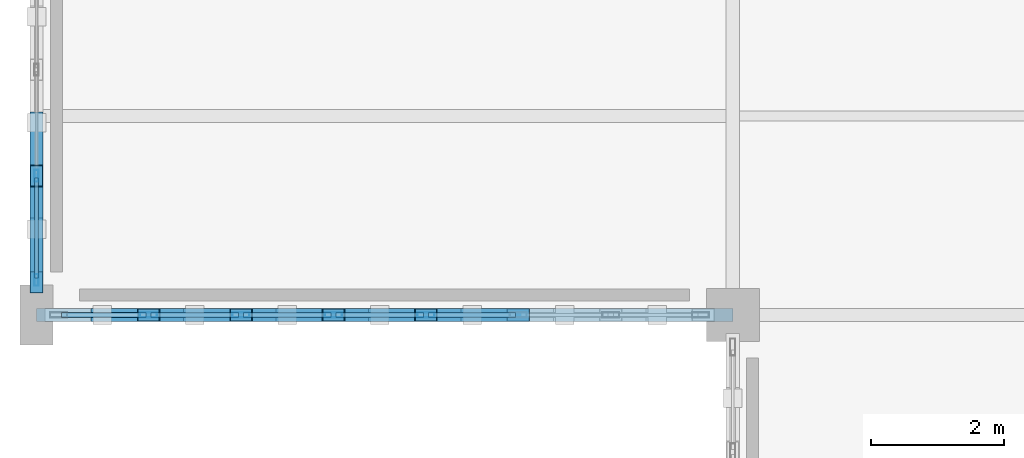
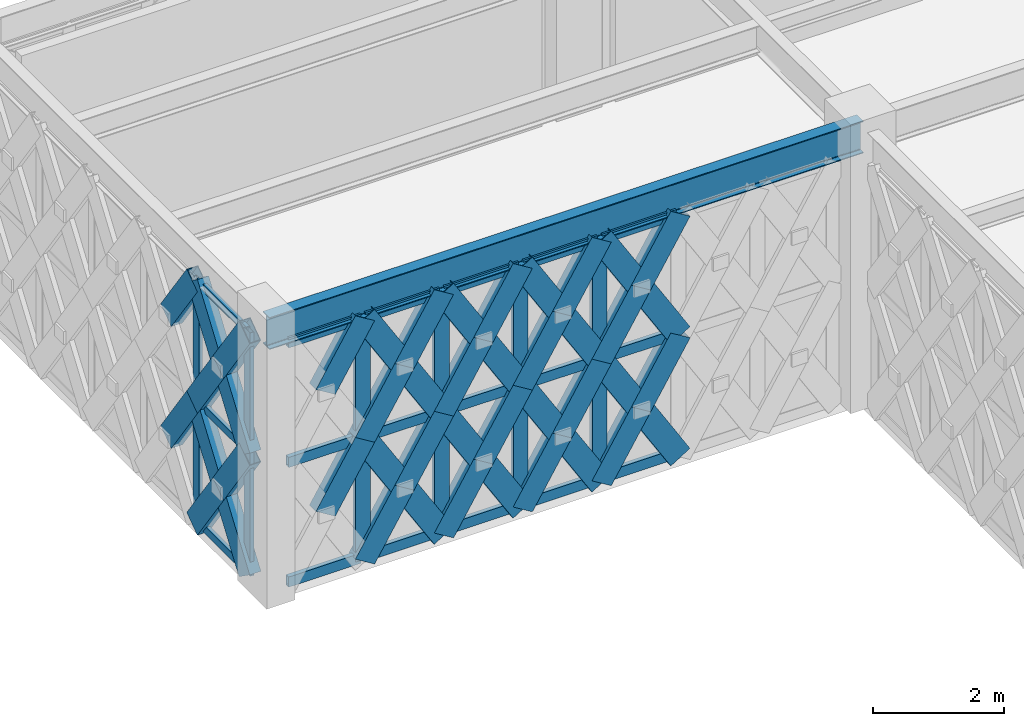
# One storey, part 5 of 86: 58 members, 1 beam, 2 elements without a shape of their own.
"""IFC4 building model written with IfcOpenShell, lengths in metres."""

from ifc_helpers import new_model, si_unit, direction, frame, origin, origin_2d, place, context, subcontext, project, spatial, hollow_rectangle, i_section, extrude, material, material_profile, profile_set, type_object, element, aggregate, save


model = new_model("IFC4")

# Units and contexts
model_context = context("Model", 3, precision=1e-05, world=origin(), true_north=direction((0.0, 1.0)))
body_context = subcontext(model_context, "Body", "Model", "MODEL_VIEW")
ifc_project = project(units=[si_unit("LENGTHUNIT", "METRE"), si_unit("AREAUNIT", "SQUARE_METRE"), si_unit("VOLUMEUNIT", "CUBIC_METRE"), si_unit("PLANEANGLEUNIT", "RADIAN"), si_unit("MASSUNIT", "GRAM", prefix="KILO")], contexts=[model_context])

# Site, building, storey
site_placement = place(None, origin())
site = spatial("IfcSite", under=ifc_project, at=site_placement, CompositionType="ELEMENT")
building_placement = place(site_placement, origin())
building = spatial("IfcBuilding", under=site, at=building_placement, Name="Haizhuo Lancet Aquarium", CompositionType="ELEMENT")
storey_placement = place(building_placement, frame((0.0, 0.0, 16.199951171875)))
storey = spatial("IfcBuildingStorey", under=building, at=storey_placement, Name="L03", CompositionType="ELEMENT", Elevation=16.199951171875)

# Beam
ifc_material_1 = material(Name="Steel S355", Category="steel")
ifc_material_profile_1 = material_profile(ifc_material_1, i_section(OverallWidth=0.199951171875, OverallDepth=0.60009765625, WebThickness=0.010986328125, FlangeThickness=0.01708984375, FilletRadius=0.02197265625, at=origin_2d()), Name="HN 600x200x11x17")
ifc_profile_set_1 = profile_set([ifc_material_profile_1], Name="Steel S355")
beam_type = type_object("IfcBeamType", Name="BM-ST-HN600", PredefinedType="BEAM", material=ifc_profile_set_1)
beam_placement = place(storey_placement, frame((-82.5, -18.0, 4.85009765625), z_axis=(1.0, 0.0, 0.0), x_axis=(0.0, 1.0, 0.0)))
element("IfcBeam", 1, at=beam_placement, inside=storey, type_object=beam_type, Name="L03 V6 primary girder BM-L03-V6-002", PredefinedType="BEAM", context=body_context, shape_type="SweptSolid", body=[
    extrude(i_section(OverallWidth=0.199951171875, OverallDepth=0.60009765625, WebThickness=0.010986328125, FlangeThickness=0.01708984375, FilletRadius=0.02197265625, at=origin_2d()), origin(), (0.0, 0.0, 1.0), 10.5),
])

# Curtain wall, members
ifc_material_2 = material(Name="Aluminium 6063-T6", Category="aluminium")
curtain_wall_type_1 = type_object("IfcCurtainWallType", Name="CWD-8010x4550", PredefinedType="NOTDEFINED", material=ifc_material_2)
curtain_wall_1_placement = place(storey_placement, origin())
curtain_wall_1 = element("IfcCurtainWall", 2, at=curtain_wall_1_placement, inside=storey, type_object=curtain_wall_type_1, Name="L03 curtain wall CW-V6-L03-229", PredefinedType="NOTDEFINED")
ifc_material_profile_2 = material_profile(ifc_material_2, hollow_rectangle(XDim=0.06494140625, YDim=0.179931640625, WallThickness=0.00390625, at=origin_2d()), Name="ALU-M 65x180x4")
ifc_profile_set_2 = profile_set([ifc_material_profile_2], Name="Aluminium 6063-T6")
member_type_1 = type_object("IfcMemberType", Name="CW-MUL-1", PredefinedType="MULLION", material=ifc_profile_set_2)
member_1_placement = place(storey_placement, frame((-82.5, -17.472900390625, 0.0), z_axis=(0.0, 0.0, 1.0), x_axis=(-1.0, 0.0, 0.0)))
member_1 = element("IfcMember", 3, at=member_1_placement, type_object=member_type_1, Name="CWD-80x45 mullion 1", PredefinedType="MULLION", context=body_context, shape_type="SweptSolid", body=[
    extrude(hollow_rectangle(XDim=0.06494140625, YDim=0.179931640625, WallThickness=0.00390625, at=origin_2d()), origin(), (0.0, 0.0, 1.0), 4.550048828125),
])
member_2_placement = place(storey_placement, frame((-82.5, -15.903076171875, 0.0), z_axis=(0.0, 0.0, 1.0), x_axis=(-1.0, 0.0, 0.0)))
member_2 = element("IfcMember", 4, at=member_2_placement, type_object=member_type_1, Name="CWD-80x45 mullion 2", PredefinedType="MULLION", context=body_context, shape_type="SweptSolid", body=[
    extrude(hollow_rectangle(XDim=0.06494140625, YDim=0.179931640625, WallThickness=0.00390625, at=origin_2d()), origin(), (0.0, 0.0, 1.0), 4.550048828125),
])

curtain_wall_type_2 = type_object("IfcCurtainWallType", Name="CWD-9760x4550", PredefinedType="NOTDEFINED", material=ifc_material_2)
curtain_wall_2_placement = place(storey_placement, origin())
curtain_wall_2 = element("IfcCurtainWall", 5, at=curtain_wall_2_placement, inside=storey, type_object=curtain_wall_type_2, Name="L03 curtain wall CW-V6-L03-228", PredefinedType="NOTDEFINED")
ifc_material_profile_3 = material_profile(ifc_material_2, hollow_rectangle(XDim=0.080078125, YDim=0.260009765625, WallThickness=0.0048828125, at=origin_2d()), Name="ALU-M 80x260x5")
ifc_profile_set_3 = profile_set([ifc_material_profile_3], Name="Aluminium 6063-T6")
member_type_2 = type_object("IfcMemberType", Name="CW-MUL-3", PredefinedType="MULLION", material=ifc_profile_set_3)
member_3_placement = place(storey_placement, frame((-76.6279296875, -18.0, 0.0), z_axis=(0.0, 0.0, 1.0), x_axis=(0.0, -1.0, 0.0)))
member_3 = element("IfcMember", 6, at=member_3_placement, type_object=member_type_2, Name="CWD-97x45 mullion 4", PredefinedType="MULLION", context=body_context, shape_type="SweptSolid", body=[
    extrude(hollow_rectangle(XDim=0.080078125, YDim=0.260009765625, WallThickness=0.0048828125, at=origin_2d()), origin(), (0.0, 0.0, 1.0), 4.550048828125),
])
member_4_placement = place(storey_placement, frame((-78.02197265625, -18.0, 0.0), z_axis=(0.0, 0.0, 1.0), x_axis=(0.0, -1.0, 0.0)))
member_4 = element("IfcMember", 7, at=member_4_placement, type_object=member_type_2, Name="CWD-97x45 mullion 5", PredefinedType="MULLION", context=body_context, shape_type="SweptSolid", body=[
    extrude(hollow_rectangle(XDim=0.080078125, YDim=0.260009765625, WallThickness=0.0048828125, at=origin_2d()), origin(), (0.0, 0.0, 1.0), 4.550048828125),
])
member_5_placement = place(storey_placement, frame((-79.416015625, -18.0, 0.0), z_axis=(0.0, 0.0, 1.0), x_axis=(0.0, -1.0, 0.0)))
member_5 = element("IfcMember", 8, at=member_5_placement, type_object=member_type_2, Name="CWD-97x45 mullion 6", PredefinedType="MULLION", context=body_context, shape_type="SweptSolid", body=[
    extrude(hollow_rectangle(XDim=0.080078125, YDim=0.260009765625, WallThickness=0.0048828125, at=origin_2d()), origin(), (0.0, 0.0, 1.0), 4.550048828125),
])
member_6_placement = place(storey_placement, frame((-80.81103515625, -18.0, 0.0), z_axis=(0.0, 0.0, 1.0), x_axis=(0.0, -1.0, 0.0)))
member_6 = element("IfcMember", 9, at=member_6_placement, type_object=member_type_2, Name="CWD-97x45 mullion 7", PredefinedType="MULLION", context=body_context, shape_type="SweptSolid", body=[
    extrude(hollow_rectangle(XDim=0.080078125, YDim=0.260009765625, WallThickness=0.0048828125, at=origin_2d()), origin(), (0.0, 0.0, 1.0), 4.550048828125),
])

# Member
ifc_material_profile_4 = material_profile(ifc_material_2, hollow_rectangle(XDim=0.06494140625, YDim=0.139892578125, WallThickness=0.00390625, at=origin_2d()), Name="ALU-T 65x140x4")
ifc_profile_set_4 = profile_set([ifc_material_profile_4], Name="Aluminium 6063-T6")
member_type_3 = type_object("IfcMemberType", Name="CW-TRN-1", PredefinedType="NOTDEFINED", material=ifc_profile_set_4)
member_7_placement = place(storey_placement, frame((-82.5, -17.43994140625, 0.031982421875), z_axis=(0.0, 1.0, 0.0), x_axis=(-1.0, 0.0, 0.0)))
member_7 = element("IfcMember", 10, at=member_7_placement, type_object=member_type_3, Name="CWD-80x45 transom 1.1", ObjectType="TRANSOM", PredefinedType="USERDEFINED", context=body_context, shape_type="SweptSolid", body=[
    extrude(hollow_rectangle(XDim=0.06494140625, YDim=0.139892578125, WallThickness=0.00390625, at=origin_2d()), origin(), (0.0, 0.0, 1.0), 1.5048828125),
])

member_8_placement = place(storey_placement, frame((-82.5, -17.43994140625, 2.275146484375), z_axis=(0.0, 1.0, 0.0), x_axis=(-1.0, 0.0, 0.0)))
member_8 = element("IfcMember", 11, at=member_8_placement, type_object=member_type_3, Name="CWD-80x45 transom 1.2", ObjectType="TRANSOM", PredefinedType="USERDEFINED", context=body_context, shape_type="SweptSolid", body=[
    extrude(hollow_rectangle(XDim=0.06494140625, YDim=0.139892578125, WallThickness=0.00390625, at=origin_2d()), origin(), (0.0, 0.0, 1.0), 1.5048828125),
])

member_9_placement = place(storey_placement, frame((-82.5, -17.43994140625, 4.51806640625), z_axis=(0.0, 1.0, 0.0), x_axis=(-1.0, 0.0, 0.0)))
member_9 = element("IfcMember", 12, at=member_9_placement, type_object=member_type_3, Name="CWD-80x45 transom 1.3", ObjectType="TRANSOM", PredefinedType="USERDEFINED", context=body_context, shape_type="SweptSolid", body=[
    extrude(hollow_rectangle(XDim=0.06494140625, YDim=0.139892578125, WallThickness=0.00390625, at=origin_2d()), origin(), (0.0, 0.0, 1.0), 1.5048828125),
])

aggregate(curtain_wall_1, [member_1, member_2, member_7, member_8, member_9])

ifc_material_profile_5 = material_profile(ifc_material_2, hollow_rectangle(XDim=0.080078125, YDim=0.18994140625, WallThickness=0.0048828125, at=origin_2d()), Name="ALU-T 80x190x5")
ifc_profile_set_5 = profile_set([ifc_material_profile_5], Name="Aluminium 6063-T6")
member_type_4 = type_object("IfcMemberType", Name="CW-TRN-3", PredefinedType="NOTDEFINED", material=ifc_profile_set_5)
member_10_placement = place(storey_placement, frame((-75.27392578125, -18.0, 0.0400390625), z_axis=(-1.0, 0.0, 0.0), x_axis=(0.0, -1.0, 0.0)))
member_10 = element("IfcMember", 13, at=member_10_placement, type_object=member_type_4, Name="CWD-97x45 transom 3.1", ObjectType="TRANSOM", PredefinedType="USERDEFINED", context=body_context, shape_type="SweptSolid", body=[
    extrude(hollow_rectangle(XDim=0.080078125, YDim=0.18994140625, WallThickness=0.0048828125, at=origin_2d()), origin(), (0.0, 0.0, 1.0), 1.31396484375),
])

member_11_placement = place(storey_placement, frame((-75.27392578125, -18.0, 2.275146484375), z_axis=(-1.0, 0.0, 0.0), x_axis=(0.0, -1.0, 0.0)))
member_11 = element("IfcMember", 14, at=member_11_placement, type_object=member_type_4, Name="CWD-97x45 transom 3.2", ObjectType="TRANSOM", PredefinedType="USERDEFINED", context=body_context, shape_type="SweptSolid", body=[
    extrude(hollow_rectangle(XDim=0.080078125, YDim=0.18994140625, WallThickness=0.0048828125, at=origin_2d()), origin(), (0.0, 0.0, 1.0), 1.31396484375),
])

member_12_placement = place(storey_placement, frame((-75.27392578125, -18.0, 4.510009765625), z_axis=(-1.0, 0.0, 0.0), x_axis=(0.0, -1.0, 0.0)))
member_12 = element("IfcMember", 15, at=member_12_placement, type_object=member_type_4, Name="CWD-97x45 transom 3.3", ObjectType="TRANSOM", PredefinedType="USERDEFINED", context=body_context, shape_type="SweptSolid", body=[
    extrude(hollow_rectangle(XDim=0.080078125, YDim=0.18994140625, WallThickness=0.0048828125, at=origin_2d()), origin(), (0.0, 0.0, 1.0), 1.31396484375),
])

member_13_placement = place(storey_placement, frame((-76.66796875, -18.0, 0.0400390625), z_axis=(-1.0, 0.0, 0.0), x_axis=(0.0, -1.0, 0.0)))
member_13 = element("IfcMember", 16, at=member_13_placement, type_object=member_type_4, Name="CWD-97x45 transom 4.1", ObjectType="TRANSOM", PredefinedType="USERDEFINED", context=body_context, shape_type="SweptSolid", body=[
    extrude(hollow_rectangle(XDim=0.080078125, YDim=0.18994140625, WallThickness=0.0048828125, at=origin_2d()), origin(), (0.0, 0.0, 1.0), 1.31396484375),
])

member_14_placement = place(storey_placement, frame((-76.66796875, -18.0, 2.275146484375), z_axis=(-1.0, 0.0, 0.0), x_axis=(0.0, -1.0, 0.0)))
member_14 = element("IfcMember", 17, at=member_14_placement, type_object=member_type_4, Name="CWD-97x45 transom 4.2", ObjectType="TRANSOM", PredefinedType="USERDEFINED", context=body_context, shape_type="SweptSolid", body=[
    extrude(hollow_rectangle(XDim=0.080078125, YDim=0.18994140625, WallThickness=0.0048828125, at=origin_2d()), origin(), (0.0, 0.0, 1.0), 1.31396484375),
])

member_15_placement = place(storey_placement, frame((-76.66796875, -18.0, 4.510009765625), z_axis=(-1.0, 0.0, 0.0), x_axis=(0.0, -1.0, 0.0)))
member_15 = element("IfcMember", 18, at=member_15_placement, type_object=member_type_4, Name="CWD-97x45 transom 4.3", ObjectType="TRANSOM", PredefinedType="USERDEFINED", context=body_context, shape_type="SweptSolid", body=[
    extrude(hollow_rectangle(XDim=0.080078125, YDim=0.18994140625, WallThickness=0.0048828125, at=origin_2d()), origin(), (0.0, 0.0, 1.0), 1.31396484375),
])

member_16_placement = place(storey_placement, frame((-78.06201171875, -18.0, 0.0400390625), z_axis=(-1.0, 0.0, 0.0), x_axis=(0.0, -1.0, 0.0)))
member_16 = element("IfcMember", 19, at=member_16_placement, type_object=member_type_4, Name="CWD-97x45 transom 5.1", ObjectType="TRANSOM", PredefinedType="USERDEFINED", context=body_context, shape_type="SweptSolid", body=[
    extrude(hollow_rectangle(XDim=0.080078125, YDim=0.18994140625, WallThickness=0.0048828125, at=origin_2d()), origin(), (0.0, 0.0, 1.0), 1.31396484375),
])

member_17_placement = place(storey_placement, frame((-78.06201171875, -18.0, 2.275146484375), z_axis=(-1.0, 0.0, 0.0), x_axis=(0.0, -1.0, 0.0)))
member_17 = element("IfcMember", 20, at=member_17_placement, type_object=member_type_4, Name="CWD-97x45 transom 5.2", ObjectType="TRANSOM", PredefinedType="USERDEFINED", context=body_context, shape_type="SweptSolid", body=[
    extrude(hollow_rectangle(XDim=0.080078125, YDim=0.18994140625, WallThickness=0.0048828125, at=origin_2d()), origin(), (0.0, 0.0, 1.0), 1.31396484375),
])

member_18_placement = place(storey_placement, frame((-78.06201171875, -18.0, 4.510009765625), z_axis=(-1.0, 0.0, 0.0), x_axis=(0.0, -1.0, 0.0)))
member_18 = element("IfcMember", 21, at=member_18_placement, type_object=member_type_4, Name="CWD-97x45 transom 5.3", ObjectType="TRANSOM", PredefinedType="USERDEFINED", context=body_context, shape_type="SweptSolid", body=[
    extrude(hollow_rectangle(XDim=0.080078125, YDim=0.18994140625, WallThickness=0.0048828125, at=origin_2d()), origin(), (0.0, 0.0, 1.0), 1.31396484375),
])

member_19_placement = place(storey_placement, frame((-79.4560546875, -18.0, 0.0400390625), z_axis=(-1.0, 0.0, 0.0), x_axis=(0.0, -1.0, 0.0)))
member_19 = element("IfcMember", 22, at=member_19_placement, type_object=member_type_4, Name="CWD-97x45 transom 6.1", ObjectType="TRANSOM", PredefinedType="USERDEFINED", context=body_context, shape_type="SweptSolid", body=[
    extrude(hollow_rectangle(XDim=0.080078125, YDim=0.18994140625, WallThickness=0.0048828125, at=origin_2d()), origin(), (0.0, 0.0, 1.0), 1.31494140625),
])

member_20_placement = place(storey_placement, frame((-79.4560546875, -18.0, 2.275146484375), z_axis=(-1.0, 0.0, 0.0), x_axis=(0.0, -1.0, 0.0)))
member_20 = element("IfcMember", 23, at=member_20_placement, type_object=member_type_4, Name="CWD-97x45 transom 6.2", ObjectType="TRANSOM", PredefinedType="USERDEFINED", context=body_context, shape_type="SweptSolid", body=[
    extrude(hollow_rectangle(XDim=0.080078125, YDim=0.18994140625, WallThickness=0.0048828125, at=origin_2d()), origin(), (0.0, 0.0, 1.0), 1.31494140625),
])

member_21_placement = place(storey_placement, frame((-79.4560546875, -18.0, 4.510009765625), z_axis=(-1.0, 0.0, 0.0), x_axis=(0.0, -1.0, 0.0)))
member_21 = element("IfcMember", 24, at=member_21_placement, type_object=member_type_4, Name="CWD-97x45 transom 6.3", ObjectType="TRANSOM", PredefinedType="USERDEFINED", context=body_context, shape_type="SweptSolid", body=[
    extrude(hollow_rectangle(XDim=0.080078125, YDim=0.18994140625, WallThickness=0.0048828125, at=origin_2d()), origin(), (0.0, 0.0, 1.0), 1.31494140625),
])

member_22_placement = place(storey_placement, frame((-80.85107421875, -18.0, 0.0400390625), z_axis=(-1.0, 0.0, 0.0), x_axis=(0.0, -1.0, 0.0)))
member_22 = element("IfcMember", 25, at=member_22_placement, type_object=member_type_4, Name="CWD-97x45 transom 7.1", ObjectType="TRANSOM", PredefinedType="USERDEFINED", context=body_context, shape_type="SweptSolid", body=[
    extrude(hollow_rectangle(XDim=0.080078125, YDim=0.18994140625, WallThickness=0.0048828125, at=origin_2d()), origin(), (0.0, 0.0, 1.0), 1.27392578125),
])

member_23_placement = place(storey_placement, frame((-80.85107421875, -18.0, 2.275146484375), z_axis=(-1.0, 0.0, 0.0), x_axis=(0.0, -1.0, 0.0)))
member_23 = element("IfcMember", 26, at=member_23_placement, type_object=member_type_4, Name="CWD-97x45 transom 7.2", ObjectType="TRANSOM", PredefinedType="USERDEFINED", context=body_context, shape_type="SweptSolid", body=[
    extrude(hollow_rectangle(XDim=0.080078125, YDim=0.18994140625, WallThickness=0.0048828125, at=origin_2d()), origin(), (0.0, 0.0, 1.0), 1.27392578125),
])

member_24_placement = place(storey_placement, frame((-80.85107421875, -18.0, 4.510009765625), z_axis=(-1.0, 0.0, 0.0), x_axis=(0.0, -1.0, 0.0)))
member_24 = element("IfcMember", 27, at=member_24_placement, type_object=member_type_4, Name="CWD-97x45 transom 7.3", ObjectType="TRANSOM", PredefinedType="USERDEFINED", context=body_context, shape_type="SweptSolid", body=[
    extrude(hollow_rectangle(XDim=0.080078125, YDim=0.18994140625, WallThickness=0.0048828125, at=origin_2d()), origin(), (0.0, 0.0, 1.0), 1.27392578125),
])

aggregate(curtain_wall_2, [member_3, member_4, member_5, member_6, member_10, member_11, member_12, member_13, member_14, member_15, member_16, member_17, member_18, member_19, member_20, member_21, member_22, member_23, member_24])

# Members
ifc_material_profile_6 = material_profile(ifc_material_1, hollow_rectangle(XDim=0.199951171875, YDim=0.39990234375, WallThickness=0.011962890625, at=origin_2d()), Name="RHS 200x400x12")
ifc_profile_set_6 = profile_set([ifc_material_profile_6], Name="Steel S355")
member_type_5 = type_object("IfcMemberType", Name="MEM-LB-RHS200x400", PredefinedType="BRACE", material=ifc_profile_set_6)
member_25_placement = place(storey_placement, frame((-75.23388671875, -18.0, 0.0), z_axis=(-0.522452629968, 0.0, 0.852668311502), x_axis=(0.0, -1.0, 0.0)))
element("IfcMember", 28, at=member_25_placement, inside=storey, type_object=member_type_5, Name="Gothic lancet continuous diagonal brace CW-V6-L03-228 5A", PredefinedType="BRACE", context=body_context, shape_type="SweptSolid", body=[
    extrude(hollow_rectangle(XDim=0.199951171875, YDim=0.39990234375, WallThickness=0.011962890625, at=origin_2d()), origin(), (0.0, 0.0, 1.0), 2.668212890625),
])
member_26_placement = place(storey_placement, frame((-76.6279296875, -18.0, 0.0), z_axis=(0.522656496285, 0.0, 0.852543363643), x_axis=(0.0, 1.0, 0.0)))
element("IfcMember", 29, at=member_26_placement, inside=storey, type_object=member_type_5, Name="Gothic lancet split diagonal brace CW-V6-L03-228 5B1", PredefinedType="BRACE", context=body_context, shape_type="SweptSolid", body=[
    extrude(hollow_rectangle(XDim=0.199951171875, YDim=0.39990234375, WallThickness=0.011962890625, at=origin_2d()), origin(), (0.0, 0.0, 1.0), 1.33349609375),
])
member_27_placement = place(storey_placement, frame((-75.930908203125, -18.0, 1.136962890625), z_axis=(0.522248892805, 0.0, 0.852793113225), x_axis=(0.0, 1.0, 0.0)))
element("IfcMember", 30, at=member_27_placement, inside=storey, type_object=member_type_5, Name="Gothic lancet split diagonal brace CW-V6-L03-228 5B2", PredefinedType="BRACE", context=body_context, shape_type="SweptSolid", body=[
    extrude(hollow_rectangle(XDim=0.199951171875, YDim=0.39990234375, WallThickness=0.011962890625, at=origin_2d()), origin(), (0.0, 0.0, 1.0), 1.334716796875),
])
member_28_placement = place(storey_placement, frame((-75.23388671875, -18.0, 2.275146484375), z_axis=(-0.522493392897, 0.0, 0.852643333627), x_axis=(0.0, -1.0, 0.0)))
element("IfcMember", 31, at=member_28_placement, inside=storey, type_object=member_type_5, Name="Gothic lancet continuous diagonal brace CW-V6-L03-228 6A", PredefinedType="BRACE", context=body_context, shape_type="SweptSolid", body=[
    extrude(hollow_rectangle(XDim=0.199951171875, YDim=0.39990234375, WallThickness=0.011962890625, at=origin_2d()), origin(), (0.0, 0.0, 1.0), 2.66796875),
])
member_29_placement = place(storey_placement, frame((-76.6279296875, -18.0, 2.275146484375), z_axis=(0.522330372177, 0.0, 0.852743210059), x_axis=(0.0, 1.0, 0.0)))
element("IfcMember", 32, at=member_29_placement, inside=storey, type_object=member_type_5, Name="Gothic lancet split diagonal brace CW-V6-L03-228 6B1", PredefinedType="BRACE", context=body_context, shape_type="SweptSolid", body=[
    extrude(hollow_rectangle(XDim=0.199951171875, YDim=0.39990234375, WallThickness=0.011962890625, at=origin_2d()), origin(), (0.0, 0.0, 1.0), 1.33447265625),
])
member_30_placement = place(storey_placement, frame((-75.930908203125, -18.0, 3.4130859375), z_axis=(0.522656496285, 0.0, 0.852543363643), x_axis=(0.0, 1.0, 0.0)))
element("IfcMember", 33, at=member_30_placement, inside=storey, type_object=member_type_5, Name="Gothic lancet split diagonal brace CW-V6-L03-228 6B2", PredefinedType="BRACE", context=body_context, shape_type="SweptSolid", body=[
    extrude(hollow_rectangle(XDim=0.199951171875, YDim=0.39990234375, WallThickness=0.011962890625, at=origin_2d()), origin(), (0.0, 0.0, 1.0), 1.33349609375),
])
member_31_placement = place(storey_placement, frame((-76.6279296875, -18.0, 0.0), z_axis=(-0.522452629968, 0.0, 0.852668311502), x_axis=(0.0, -1.0, 0.0)))
element("IfcMember", 34, at=member_31_placement, inside=storey, type_object=member_type_5, Name="Gothic lancet continuous diagonal brace CW-V6-L03-228 7A", PredefinedType="BRACE", context=body_context, shape_type="SweptSolid", body=[
    extrude(hollow_rectangle(XDim=0.199951171875, YDim=0.39990234375, WallThickness=0.011962890625, at=origin_2d()), origin(), (0.0, 0.0, 1.0), 2.668212890625),
])
member_32_placement = place(storey_placement, frame((-78.02197265625, -18.0, 0.0), z_axis=(0.522656496285, 0.0, 0.852543363643), x_axis=(0.0, 1.0, 0.0)))
element("IfcMember", 35, at=member_32_placement, inside=storey, type_object=member_type_5, Name="Gothic lancet split diagonal brace CW-V6-L03-228 7B1", PredefinedType="BRACE", context=body_context, shape_type="SweptSolid", body=[
    extrude(hollow_rectangle(XDim=0.199951171875, YDim=0.39990234375, WallThickness=0.011962890625, at=origin_2d()), origin(), (0.0, 0.0, 1.0), 1.33349609375),
])
member_33_placement = place(storey_placement, frame((-77.324951171875, -18.0, 1.136962890625), z_axis=(0.522248892805, 0.0, 0.852793113225), x_axis=(0.0, 1.0, 0.0)))
element("IfcMember", 36, at=member_33_placement, inside=storey, type_object=member_type_5, Name="Gothic lancet split diagonal brace CW-V6-L03-228 7B2", PredefinedType="BRACE", context=body_context, shape_type="SweptSolid", body=[
    extrude(hollow_rectangle(XDim=0.199951171875, YDim=0.39990234375, WallThickness=0.011962890625, at=origin_2d()), origin(), (0.0, 0.0, 1.0), 1.334716796875),
])
member_34_placement = place(storey_placement, frame((-76.6279296875, -18.0, 2.275146484375), z_axis=(-0.522493392897, 0.0, 0.852643333627), x_axis=(0.0, -1.0, 0.0)))
element("IfcMember", 37, at=member_34_placement, inside=storey, type_object=member_type_5, Name="Gothic lancet continuous diagonal brace CW-V6-L03-228 8A", PredefinedType="BRACE", context=body_context, shape_type="SweptSolid", body=[
    extrude(hollow_rectangle(XDim=0.199951171875, YDim=0.39990234375, WallThickness=0.011962890625, at=origin_2d()), origin(), (0.0, 0.0, 1.0), 2.66796875),
])
member_35_placement = place(storey_placement, frame((-78.02197265625, -18.0, 2.275146484375), z_axis=(0.522330372177, 0.0, 0.852743210059), x_axis=(0.0, 1.0, 0.0)))
element("IfcMember", 38, at=member_35_placement, inside=storey, type_object=member_type_5, Name="Gothic lancet split diagonal brace CW-V6-L03-228 8B1", PredefinedType="BRACE", context=body_context, shape_type="SweptSolid", body=[
    extrude(hollow_rectangle(XDim=0.199951171875, YDim=0.39990234375, WallThickness=0.011962890625, at=origin_2d()), origin(), (0.0, 0.0, 1.0), 1.33447265625),
])
member_36_placement = place(storey_placement, frame((-77.324951171875, -18.0, 3.4130859375), z_axis=(0.522656496285, 0.0, 0.852543363643), x_axis=(0.0, 1.0, 0.0)))
element("IfcMember", 39, at=member_36_placement, inside=storey, type_object=member_type_5, Name="Gothic lancet split diagonal brace CW-V6-L03-228 8B2", PredefinedType="BRACE", context=body_context, shape_type="SweptSolid", body=[
    extrude(hollow_rectangle(XDim=0.199951171875, YDim=0.39990234375, WallThickness=0.011962890625, at=origin_2d()), origin(), (0.0, 0.0, 1.0), 1.33349609375),
])
member_37_placement = place(storey_placement, frame((-78.02197265625, -18.0, 0.0), z_axis=(-0.522452629968, 0.0, 0.852668311502), x_axis=(0.0, -1.0, 0.0)))
element("IfcMember", 40, at=member_37_placement, inside=storey, type_object=member_type_5, Name="Gothic lancet continuous diagonal brace CW-V6-L03-228 9A", PredefinedType="BRACE", context=body_context, shape_type="SweptSolid", body=[
    extrude(hollow_rectangle(XDim=0.199951171875, YDim=0.39990234375, WallThickness=0.011962890625, at=origin_2d()), origin(), (0.0, 0.0, 1.0), 2.668212890625),
])
member_38_placement = place(storey_placement, frame((-79.416015625, -18.0, 0.0), z_axis=(0.522656496285, 0.0, 0.852543363643), x_axis=(0.0, 1.0, 0.0)))
element("IfcMember", 41, at=member_38_placement, inside=storey, type_object=member_type_5, Name="Gothic lancet split diagonal brace CW-V6-L03-228 9B1", PredefinedType="BRACE", context=body_context, shape_type="SweptSolid", body=[
    extrude(hollow_rectangle(XDim=0.199951171875, YDim=0.39990234375, WallThickness=0.011962890625, at=origin_2d()), origin(), (0.0, 0.0, 1.0), 1.33349609375),
])
member_39_placement = place(storey_placement, frame((-78.718994140625, -18.0, 1.136962890625), z_axis=(0.522248892805, 0.0, 0.852793113225), x_axis=(0.0, 1.0, 0.0)))
element("IfcMember", 42, at=member_39_placement, inside=storey, type_object=member_type_5, Name="Gothic lancet split diagonal brace CW-V6-L03-228 9B2", PredefinedType="BRACE", context=body_context, shape_type="SweptSolid", body=[
    extrude(hollow_rectangle(XDim=0.199951171875, YDim=0.39990234375, WallThickness=0.011962890625, at=origin_2d()), origin(), (0.0, 0.0, 1.0), 1.334716796875),
])
member_40_placement = place(storey_placement, frame((-78.02197265625, -18.0, 2.275146484375), z_axis=(-0.522493392897, 0.0, 0.852643333627), x_axis=(0.0, -1.0, 0.0)))
element("IfcMember", 43, at=member_40_placement, inside=storey, type_object=member_type_5, Name="Gothic lancet continuous diagonal brace CW-V6-L03-228 10A", PredefinedType="BRACE", context=body_context, shape_type="SweptSolid", body=[
    extrude(hollow_rectangle(XDim=0.199951171875, YDim=0.39990234375, WallThickness=0.011962890625, at=origin_2d()), origin(), (0.0, 0.0, 1.0), 2.66796875),
])
member_41_placement = place(storey_placement, frame((-79.416015625, -18.0, 2.275146484375), z_axis=(0.522330372177, 0.0, 0.852743210059), x_axis=(0.0, 1.0, 0.0)))
element("IfcMember", 44, at=member_41_placement, inside=storey, type_object=member_type_5, Name="Gothic lancet split diagonal brace CW-V6-L03-228 10B1", PredefinedType="BRACE", context=body_context, shape_type="SweptSolid", body=[
    extrude(hollow_rectangle(XDim=0.199951171875, YDim=0.39990234375, WallThickness=0.011962890625, at=origin_2d()), origin(), (0.0, 0.0, 1.0), 1.33447265625),
])
member_42_placement = place(storey_placement, frame((-78.718994140625, -18.0, 3.4130859375), z_axis=(0.522656496285, 0.0, 0.852543363643), x_axis=(0.0, 1.0, 0.0)))
element("IfcMember", 45, at=member_42_placement, inside=storey, type_object=member_type_5, Name="Gothic lancet split diagonal brace CW-V6-L03-228 10B2", PredefinedType="BRACE", context=body_context, shape_type="SweptSolid", body=[
    extrude(hollow_rectangle(XDim=0.199951171875, YDim=0.39990234375, WallThickness=0.011962890625, at=origin_2d()), origin(), (0.0, 0.0, 1.0), 1.33349609375),
])
member_43_placement = place(storey_placement, frame((-79.416015625, -18.0, 0.0), z_axis=(-0.522718645184, 0.0, 0.852505259795), x_axis=(0.0, -1.0, 0.0)))
element("IfcMember", 46, at=member_43_placement, inside=storey, type_object=member_type_5, Name="Gothic lancet continuous diagonal brace CW-V6-L03-228 11A", PredefinedType="BRACE", context=body_context, shape_type="SweptSolid", body=[
    extrude(hollow_rectangle(XDim=0.199951171875, YDim=0.39990234375, WallThickness=0.011962890625, at=origin_2d()), origin(), (0.0, 0.0, 1.0), 2.668701171875),
])
member_44_placement = place(storey_placement, frame((-80.81103515625, -18.0, 0.0), z_axis=(0.522656496285, 0.0, 0.852543363643), x_axis=(0.0, 1.0, 0.0)))
element("IfcMember", 47, at=member_44_placement, inside=storey, type_object=member_type_5, Name="Gothic lancet split diagonal brace CW-V6-L03-228 11B1", PredefinedType="BRACE", context=body_context, shape_type="SweptSolid", body=[
    extrude(hollow_rectangle(XDim=0.199951171875, YDim=0.39990234375, WallThickness=0.011962890625, at=origin_2d()), origin(), (0.0, 0.0, 1.0), 1.33349609375),
])
member_45_placement = place(storey_placement, frame((-80.114013671875, -18.0, 1.136962890625), z_axis=(0.522780719108, 0.0, 0.852467195691), x_axis=(0.0, 1.0, 0.0)))
element("IfcMember", 48, at=member_45_placement, inside=storey, type_object=member_type_5, Name="Gothic lancet split diagonal brace CW-V6-L03-228 11B2", PredefinedType="BRACE", context=body_context, shape_type="SweptSolid", body=[
    extrude(hollow_rectangle(XDim=0.199951171875, YDim=0.39990234375, WallThickness=0.011962890625, at=origin_2d()), origin(), (0.0, 0.0, 1.0), 1.335205078125),
])
member_46_placement = place(storey_placement, frame((-79.416015625, -18.0, 2.275146484375), z_axis=(-0.522759413269, 0.0, 0.85248026126), x_axis=(0.0, -1.0, 0.0)))
element("IfcMember", 49, at=member_46_placement, inside=storey, type_object=member_type_5, Name="Gothic lancet continuous diagonal brace CW-V6-L03-228 12A", PredefinedType="BRACE", context=body_context, shape_type="SweptSolid", body=[
    extrude(hollow_rectangle(XDim=0.199951171875, YDim=0.39990234375, WallThickness=0.011962890625, at=origin_2d()), origin(), (0.0, 0.0, 1.0), 2.66845703125),
])
member_47_placement = place(storey_placement, frame((-80.81103515625, -18.0, 2.275146484375), z_axis=(0.522330372177, 0.0, 0.852743210059), x_axis=(0.0, 1.0, 0.0)))
element("IfcMember", 50, at=member_47_placement, inside=storey, type_object=member_type_5, Name="Gothic lancet split diagonal brace CW-V6-L03-228 12B1", PredefinedType="BRACE", context=body_context, shape_type="SweptSolid", body=[
    extrude(hollow_rectangle(XDim=0.199951171875, YDim=0.39990234375, WallThickness=0.011962890625, at=origin_2d()), origin(), (0.0, 0.0, 1.0), 1.33447265625),
])
member_48_placement = place(storey_placement, frame((-80.114013671875, -18.0, 3.4130859375), z_axis=(0.523188425491, 0.0, 0.852217033057), x_axis=(0.0, 1.0, 0.0)))
element("IfcMember", 51, at=member_48_placement, inside=storey, type_object=member_type_5, Name="Gothic lancet split diagonal brace CW-V6-L03-228 12B2", PredefinedType="BRACE", context=body_context, shape_type="SweptSolid", body=[
    extrude(hollow_rectangle(XDim=0.199951171875, YDim=0.39990234375, WallThickness=0.011962890625, at=origin_2d()), origin(), (0.0, 0.0, 1.0), 1.334228515625),
])
member_49_placement = place(storey_placement, frame((-81.508056640625, -18.0, 1.136962890625), z_axis=(0.522248892805, 0.0, 0.852793113225), x_axis=(0.0, 1.0, 0.0)))
element("IfcMember", 52, at=member_49_placement, inside=storey, type_object=member_type_5, Name="Gothic lancet split diagonal brace CW-V6-L03-228 13B2", PredefinedType="BRACE", context=body_context, shape_type="SweptSolid", body=[
    extrude(hollow_rectangle(XDim=0.199951171875, YDim=0.39990234375, WallThickness=0.011962890625, at=origin_2d()), origin(), (0.0, 0.0, 1.0), 1.334716796875),
])
member_50_placement = place(storey_placement, frame((-81.508056640625, -18.0, 3.4130859375), z_axis=(0.522656496285, 0.0, 0.852543363643), x_axis=(0.0, 1.0, 0.0)))
element("IfcMember", 53, at=member_50_placement, inside=storey, type_object=member_type_5, Name="Gothic lancet split diagonal brace CW-V6-L03-228 14B2", PredefinedType="BRACE", context=body_context, shape_type="SweptSolid", body=[
    extrude(hollow_rectangle(XDim=0.199951171875, YDim=0.39990234375, WallThickness=0.011962890625, at=origin_2d()), origin(), (0.0, 0.0, 1.0), 1.33349609375),
])
member_51_placement = place(storey_placement, frame((-82.5, -17.5048828125, 0.0), z_axis=(0.0, 0.57568030739, 0.817674864285), x_axis=(-1.0, 0.0, 0.0)))
element("IfcMember", 54, at=member_51_placement, inside=storey, type_object=member_type_5, Name="Gothic lancet continuous diagonal brace CW-V6-L03-229 1A", PredefinedType="BRACE", context=body_context, shape_type="SweptSolid", body=[
    extrude(hollow_rectangle(XDim=0.199951171875, YDim=0.39990234375, WallThickness=0.011962890625, at=origin_2d()), origin(), (0.0, 0.0, 1.0), 2.782470703125),
])
member_52_placement = place(storey_placement, frame((-82.5, -15.903076171875, 0.0), z_axis=(0.0, -0.575945534052, 0.817488068296), x_axis=(1.0, 0.0, 0.0)))
element("IfcMember", 55, at=member_52_placement, inside=storey, type_object=member_type_5, Name="Gothic lancet split diagonal brace CW-V6-L03-229 1B1", PredefinedType="BRACE", context=body_context, shape_type="SweptSolid", body=[
    extrude(hollow_rectangle(XDim=0.199951171875, YDim=0.39990234375, WallThickness=0.011962890625, at=origin_2d()), origin(), (0.0, 0.0, 1.0), 1.390869140625),
])
member_53_placement = place(storey_placement, frame((-82.5, -16.7041015625, 1.136962890625), z_axis=(0.0, -0.575415183644, 0.817861459192), x_axis=(1.0, 0.0, 0.0)))
element("IfcMember", 56, at=member_53_placement, inside=storey, type_object=member_type_5, Name="Gothic lancet split diagonal brace CW-V6-L03-229 1B2", PredefinedType="BRACE", context=body_context, shape_type="SweptSolid", body=[
    extrude(hollow_rectangle(XDim=0.199951171875, YDim=0.39990234375, WallThickness=0.011962890625, at=origin_2d()), origin(), (0.0, 0.0, 1.0), 1.3916015625),
])
member_54_placement = place(storey_placement, frame((-82.5, -17.5048828125, 2.275146484375), z_axis=(0.0, 0.575721611836, 0.817645782516), x_axis=(-1.0, 0.0, 0.0)))
element("IfcMember", 57, at=member_54_placement, inside=storey, type_object=member_type_5, Name="Gothic lancet continuous diagonal brace CW-V6-L03-229 2A", PredefinedType="BRACE", context=body_context, shape_type="SweptSolid", body=[
    extrude(hollow_rectangle(XDim=0.199951171875, YDim=0.39990234375, WallThickness=0.011962890625, at=origin_2d()), origin(), (0.0, 0.0, 1.0), 2.7822265625),
])
member_55_placement = place(storey_placement, frame((-82.5, -15.903076171875, 2.275146484375), z_axis=(0.0, -0.575615080373, 0.817720783182), x_axis=(1.0, 0.0, 0.0)))
element("IfcMember", 58, at=member_55_placement, inside=storey, type_object=member_type_5, Name="Gothic lancet split diagonal brace CW-V6-L03-229 2B1", PredefinedType="BRACE", context=body_context, shape_type="SweptSolid", body=[
    extrude(hollow_rectangle(XDim=0.199951171875, YDim=0.39990234375, WallThickness=0.011962890625, at=origin_2d()), origin(), (0.0, 0.0, 1.0), 1.3916015625),
])
member_56_placement = place(storey_placement, frame((-82.5, -16.7041015625, 3.4130859375), z_axis=(0.0, -0.575828205451, 0.817570717313), x_axis=(1.0, 0.0, 0.0)))
element("IfcMember", 59, at=member_56_placement, inside=storey, type_object=member_type_5, Name="Gothic lancet split diagonal brace CW-V6-L03-229 2B2", PredefinedType="BRACE", context=body_context, shape_type="SweptSolid", body=[
    extrude(hollow_rectangle(XDim=0.199951171875, YDim=0.39990234375, WallThickness=0.011962890625, at=origin_2d()), origin(), (0.0, 0.0, 1.0), 1.390625),
])
member_57_placement = place(storey_placement, frame((-82.5, -15.10205078125, 1.136962890625), z_axis=(0.0, -0.575532511518, 0.817778899328), x_axis=(1.0, 0.0, 0.0)))
element("IfcMember", 60, at=member_57_placement, inside=storey, type_object=member_type_5, Name="Gothic lancet split diagonal brace CW-V6-L03-229 3B2", PredefinedType="BRACE", context=body_context, shape_type="SweptSolid", body=[
    extrude(hollow_rectangle(XDim=0.199951171875, YDim=0.39990234375, WallThickness=0.011962890625, at=origin_2d()), origin(), (0.0, 0.0, 1.0), 1.391845703125),
])
member_58_placement = place(storey_placement, frame((-82.5, -15.10205078125, 3.4130859375), z_axis=(0.0, -0.575945534052, 0.817488068296), x_axis=(1.0, 0.0, 0.0)))
element("IfcMember", 61, at=member_58_placement, inside=storey, type_object=member_type_5, Name="Gothic lancet split diagonal brace CW-V6-L03-229 4B2", PredefinedType="BRACE", context=body_context, shape_type="SweptSolid", body=[
    extrude(hollow_rectangle(XDim=0.199951171875, YDim=0.39990234375, WallThickness=0.011962890625, at=origin_2d()), origin(), (0.0, 0.0, 1.0), 1.390869140625),
])

save(model, "model.ifc")
